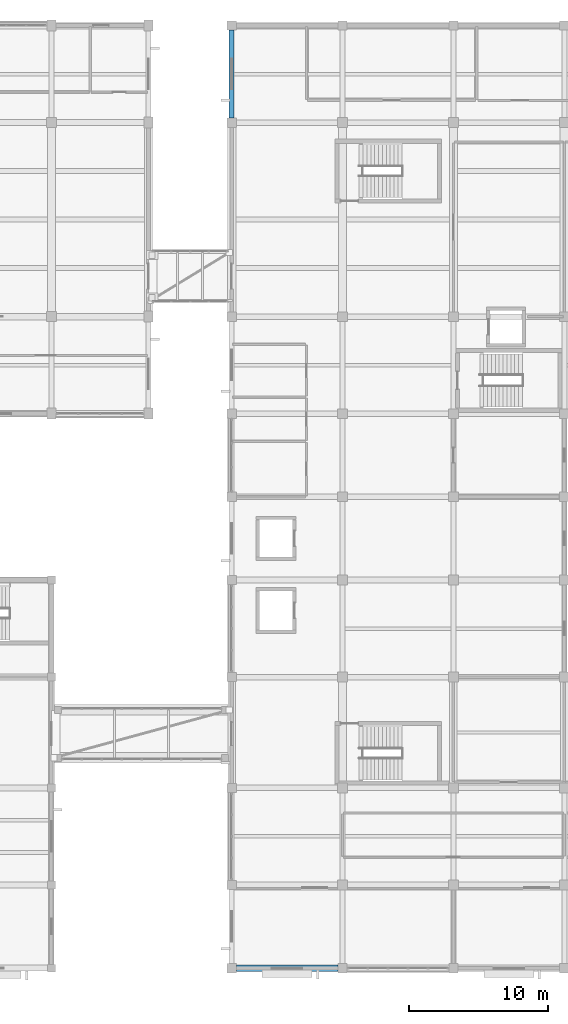
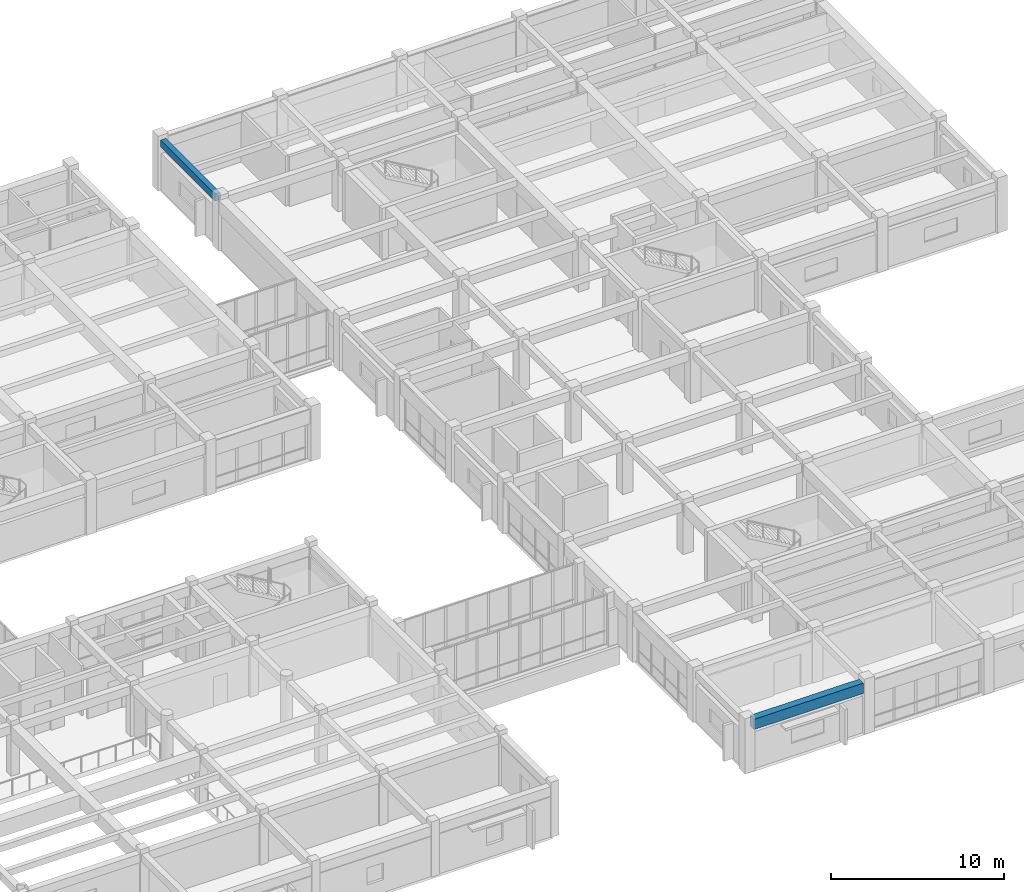
# One storey, part 32 of 66: 2 beams.
"""IFC4 building model written with IfcOpenShell, lengths in metres."""

from ifc_helpers import new_model, si_unit, direction, frame, origin, origin_2d, place, context, subcontext, project, spatial, rectangle, extrude, material, material_profile, profile_set, type_object, element, save


model = new_model("IFC4")

# Units and contexts
model_context = context("Model", 3, precision=1e-05, world=origin(), true_north=direction((0.0, 1.0)))
body_context = subcontext(model_context, "Body", "Model", "MODEL_VIEW")
ifc_project = project(units=[si_unit("LENGTHUNIT", "METRE"), si_unit("AREAUNIT", "SQUARE_METRE"), si_unit("VOLUMEUNIT", "CUBIC_METRE"), si_unit("PLANEANGLEUNIT", "RADIAN"), si_unit("MASSUNIT", "GRAM", prefix="KILO")], contexts=[model_context])

# Site, building, storey
site_placement = place(None, origin())
site = spatial("IfcSite", under=ifc_project, at=site_placement, CompositionType="ELEMENT")
building_placement = place(site_placement, origin())
building = spatial("IfcBuilding", under=site, at=building_placement, Name="Naurynzar Civic Courthouse", CompositionType="ELEMENT")
storey_placement = place(building_placement, frame((0.0, 0.0, 14.39990234375)))
storey = spatial("IfcBuildingStorey", under=building, at=storey_placement, Name="L04", CompositionType="ELEMENT", Elevation=14.39990234375)

# Beams
ifc_material_1 = material(Name="Concrete C40/50", Category="concrete")
ifc_material_profile_1 = material_profile(ifc_material_1, rectangle(XDim=0.35009765625, YDim=0.5, at=origin_2d()), Name="RCB 350x500")
ifc_profile_set_1 = profile_set([ifc_material_profile_1], Name="Concrete C40/50")
beam_type_1 = type_object("IfcBeamType", Name="BM-RC-350x500", PredefinedType="BEAM", material=ifc_profile_set_1)
beam_1_placement = place(storey_placement, frame((130.0, 65.33740234375, 3.330078125), z_axis=(0.0, 1.0, 0.0), x_axis=(-1.0, 0.0, 0.0)))
element("IfcBeam", 1, at=beam_1_placement, inside=storey, type_object=beam_type_1, Name="V5 girder Y-2557 L04", PredefinedType="BEAM", context=body_context, shape_type="SweptSolid", body=[
    extrude(rectangle(XDim=0.35009765625, YDim=0.5, at=origin_2d()), origin(), (0.0, 0.0, 1.0), 6.3251953125),
])
ifc_material_2 = material(Name="Concrete C40/50", Category="concrete")
ifc_material_profile_2 = material_profile(ifc_material_2, rectangle(XDim=0.47509765625, YDim=0.72509765625, at=origin_2d()), Name="RCB 475x725")
ifc_profile_set_2 = profile_set([ifc_material_profile_2], Name="Concrete C40/50")
beam_type_2 = type_object("IfcBeamType", Name="BM-RC-475x725", PredefinedType="SPANDREL", material=ifc_profile_set_2)
beam_2_placement = place(storey_placement, frame((130.33740234375, 4.0, 3.217529296875), z_axis=(1.0, 0.0, 0.0), x_axis=(0.0, 1.0, 0.0)))
element("IfcBeam", 2, at=beam_2_placement, inside=storey, type_object=beam_type_2, Name="V5 beam X-2503 L04", PredefinedType="SPANDREL", context=body_context, shape_type="SweptSolid", body=[
    extrude(rectangle(XDim=0.47509765625, YDim=0.72509765625, at=origin_2d()), origin(), (0.0, 0.0, 1.0), 7.3251953125),
])

save(model, "model.ifc")
